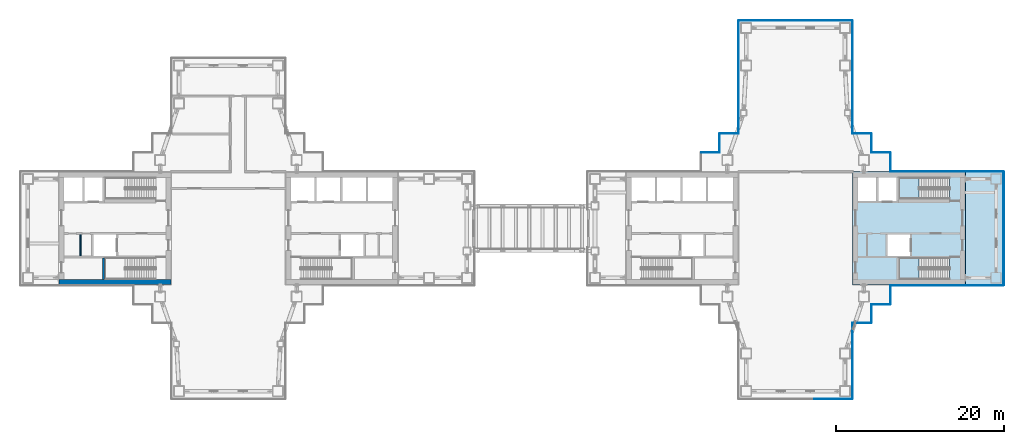
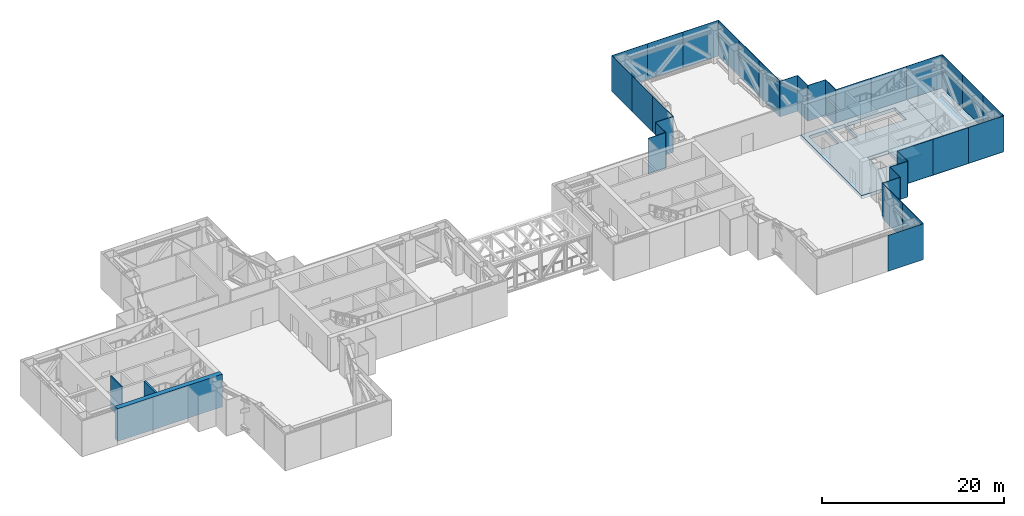
# One storey, part 9 of 21: 32 plates, 4 slabs, 3 walls, 15 elements without a shape of their own.
"""IFC4 building model written with IfcOpenShell, lengths in metres."""

from ifc_helpers import new_model, si_unit, direction, frame, frame_2d, origin, origin_2d, place, context, subcontext, project, spatial, polyline, rectangle, outline, extrude, material, layer, layer_set, type_object, element, aggregate, save


model = new_model("IFC4")

# Units and contexts
model_context = context("Model", 3, precision=1e-05, world=origin(), true_north=direction((0.0, 1.0)))
body_context = subcontext(model_context, "Body", "Model", "MODEL_VIEW")
ifc_project = project(units=[si_unit("LENGTHUNIT", "METRE"), si_unit("AREAUNIT", "SQUARE_METRE"), si_unit("VOLUMEUNIT", "CUBIC_METRE"), si_unit("PLANEANGLEUNIT", "RADIAN"), si_unit("MASSUNIT", "GRAM", prefix="KILO")], contexts=[model_context])

# Site, building, storey
site_placement = place(None, origin())
site = spatial("IfcSite", under=ifc_project, at=site_placement, CompositionType="ELEMENT")
building_placement = place(site_placement, origin())
building = spatial("IfcBuilding", under=site, at=building_placement, Name="Shamsa Quay Exchange Towers", CompositionType="ELEMENT")
storey_placement = place(building_placement, frame((0.0, 0.0, 128.699951171875)))
storey = spatial("IfcBuildingStorey", under=building, at=storey_placement, Name="L30", CompositionType="ELEMENT", Elevation=128.699951171875)

# Slab
ifc_material_1 = material(Name="Concrete C50/60", Category="concrete")
ifc_layer_1 = layer(ifc_material_1, 0.449951171875)
ifc_layer_set_1 = layer_set([ifc_layer_1], Name="CORE FLOOR 450 C50/60")
slab_type_1 = type_object("IfcSlabType", Name="CORE FLOOR 450 C50/60", PredefinedType="FLOOR", material=ifc_layer_set_1)
slab_1_placement = place(storey_placement, frame((0.0, 0.0, -0.449951171875)))
element("IfcSlab", 1, at=slab_1_placement, inside=storey, type_object=slab_type_1, Name="Core floor T2B", PredefinedType="FLOOR", context=body_context, shape_type="SweptSolid", body=[
    extrude(outline(polyline([(54.0, -6.75), (54.0, 6.75), (40.5, 6.75), (40.5, -6.75), (54.0, -6.75)]), holes=[polyline([(52.099365234375, -3.5), (52.099365234375, -6.050048828125), (46.0, -6.050048828125), (46.0, -3.5), (52.099365234375, -3.5)]), polyline([(52.099365234375, 6.050048828125), (52.099365234375, 3.5), (46.0, 3.5), (46.0, 6.050048828125), (52.099365234375, 6.050048828125)]), polyline([(45.75, 3.25), (43.60009765625, 3.25), (43.60009765625, 6.050048828125), (45.75, 6.050048828125), (45.75, 3.25)]), polyline([(43.35009765625, 3.25), (41.199951171875, 3.25), (41.199951171875, 6.050048828125), (43.35009765625, 6.050048828125), (43.35009765625, 3.25)]), polyline([(47.35009765625, -3.25), (44.699951171875, -3.25), (44.699951171875, -0.75), (47.35009765625, -0.75), (47.35009765625, -3.25)])]), origin(), (0.0, 0.0, 1.0), 0.449951171875),
])

# Stair, slab
ifc_material_2 = material(Name="Concrete C40/50", Category="concrete")
stair_type = type_object("IfcStairType", Name="EXIT STAIR 28 RISERS 171 MM", PredefinedType="HALF_TURN_STAIR", material=ifc_material_2)
stair_1_placement = place(storey_placement, origin())
stair_1 = element("IfcStair", 2, at=stair_1_placement, inside=storey, type_object=stair_type, Name="L30 Exit stair ST5", PredefinedType="HALF_TURN_STAIR")
ifc_layer_2 = layer(ifc_material_2, 0.199951171875)
ifc_layer_set_2 = layer_set([ifc_layer_2], Name="CORE STAIR LANDING")
slab_type_2 = type_object("IfcSlabType", Name="CORE STAIR LANDING", PredefinedType="LANDING", material=ifc_layer_set_2)
slab_2_placement = place(storey_placement, frame((0.0, 0.0, 2.199951171875)))
slab_2 = element("IfcSlab", 3, at=slab_2_placement, type_object=slab_type_2, Name="ST5 landing 1", PredefinedType="LANDING", context=body_context, shape_type="SweptSolid", body=[
    extrude(outline(polyline([(48.4599609375, -3.5), (46.0, -3.5), (46.0, -6.050048828125), (48.4599609375, -6.050048828125), (48.4599609375, -3.5)])), origin(), (0.0, 0.0, 1.0), 0.2001953125),
])
aggregate(stair_1, [slab_2])

stair_2_placement = place(storey_placement, origin())
stair_2 = element("IfcStair", 4, at=stair_2_placement, inside=storey, type_object=stair_type, Name="L30 Exit stair ST6", PredefinedType="HALF_TURN_STAIR")
slab_3_placement = place(storey_placement, frame((0.0, 0.0, 2.199951171875)))
slab_3 = element("IfcSlab", 5, at=slab_3_placement, type_object=slab_type_2, Name="ST6 landing 1", PredefinedType="LANDING", context=body_context, shape_type="SweptSolid", body=[
    extrude(outline(polyline([(48.4599609375, 6.050048828125), (46.0, 6.050048828125), (46.0, 3.5), (48.4599609375, 3.5), (48.4599609375, 6.050048828125)])), origin(), (0.0, 0.0, 1.0), 0.2001953125),
])
aggregate(stair_2, [slab_3])

# Curtain wall, plates
ifc_material_3 = material(Name="Aluminium EN AW-6063 T6, black anodised", Category="aluminium")
ifc_layer_3 = layer(ifc_material_3, 0.320068359375)
ifc_layer_set_3 = layer_set([ifc_layer_3], Name="CW-7 BELT-LEVEL LOUVRE PANEL WALL")
curtain_wall_type = type_object("IfcCurtainWallType", Name="CW-7 BELT-LEVEL LOUVRE PANEL WALL", PredefinedType="NOTDEFINED", material=ifc_layer_set_3)
curtain_wall_1_placement = place(storey_placement, origin())
curtain_wall_1 = element("IfcCurtainWall", 6, at=curtain_wall_1_placement, inside=storey, type_object=curtain_wall_type, Name="CW7 T2-FLK-V-W L30", PredefinedType="NOTDEFINED")
ifc_material_4 = material(Name="Aluminium louvre panel, black anodised, with insulated fire-rated backing", Category="aluminium")
ifc_layer_4 = layer(ifc_material_4, 0.06005859375)
ifc_layer_set_4 = layer_set([ifc_layer_4], Name="CW-7 LOUVRE PANEL 60")
plate_type = type_object("IfcPlateType", Name="CW-7 LOUVRE PANEL 60", PredefinedType="CURTAIN_PANEL", material=ifc_layer_set_4)
plate_1_placement = place(storey_placement, frame((47.2939453125, -6.780029296875, -0.35009765625)))
plate_1 = element("IfcPlate", 7, at=plate_1_placement, type_object=plate_type, Name="CW7 glass panel", PredefinedType="CURTAIN_PANEL", context=body_context, shape_type="SweptSolid", body=[
    extrude(rectangle(XDim=4.464111328125, YDim=0.06005859375, at=origin_2d()), origin(), (0.0, 0.0, 1.0), 4.800048828125),
])
plate_2_placement = place(storey_placement, frame((51.76806640625, -6.780029296875, -0.35009765625)))
plate_2 = element("IfcPlate", 8, at=plate_2_placement, type_object=plate_type, Name="CW7 glass panel", PredefinedType="CURTAIN_PANEL", context=body_context, shape_type="SweptSolid", body=[
    extrude(rectangle(XDim=4.464111328125, YDim=0.06005859375, at=origin_2d()), origin(), (0.0, 0.0, 1.0), 4.800048828125),
])
aggregate(curtain_wall_1, [plate_1, plate_2])

# Curtain wall, plate
curtain_wall_2_placement = place(storey_placement, origin())
curtain_wall_2 = element("IfcCurtainWall", 9, at=curtain_wall_2_placement, inside=storey, type_object=curtain_wall_type, Name="CW7 T2-FLK-V-W L30", PredefinedType="NOTDEFINED")
plate_3_placement = place(storey_placement, frame((56.25, -6.780029296875, -0.35009765625)))
plate_3 = element("IfcPlate", 10, at=plate_3_placement, type_object=plate_type, Name="CW7 glass panel", PredefinedType="CURTAIN_PANEL", context=body_context, shape_type="SweptSolid", body=[
    extrude(rectangle(XDim=4.5, YDim=0.06005859375, at=origin_2d()), origin(), (0.0, 0.0, 1.0), 4.800048828125),
])
aggregate(curtain_wall_2, [plate_3])

# Curtain wall, plates
curtain_wall_3_placement = place(storey_placement, origin())
curtain_wall_3 = element("IfcCurtainWall", 11, at=curtain_wall_3_placement, inside=storey, type_object=curtain_wall_type, Name="CW7 T2-END-V- L30", PredefinedType="NOTDEFINED")
plate_4_placement = place(storey_placement, frame((58.530029296875, -4.50244140625, -0.35009765625), z_axis=(0.0, 0.0, 1.0), x_axis=(0.0, 1.0, 0.0)))
plate_4 = element("IfcPlate", 12, at=plate_4_placement, type_object=plate_type, Name="CW7 glass panel", PredefinedType="CURTAIN_PANEL", context=body_context, shape_type="SweptSolid", body=[
    extrude(rectangle(XDim=4.4951171875, YDim=0.06005859375, at=origin_2d()), origin(), (0.0, 0.0, 1.0), 4.800048828125),
])
plate_5_placement = place(storey_placement, frame((58.530029296875, 0.0, -0.35009765625), z_axis=(0.0, 0.0, 1.0), x_axis=(0.0, 1.0, 0.0)))
plate_5 = element("IfcPlate", 13, at=plate_5_placement, type_object=plate_type, Name="CW7 glass panel", PredefinedType="CURTAIN_PANEL", context=body_context, shape_type="SweptSolid", body=[
    extrude(rectangle(XDim=4.489990234375, YDim=0.06005859375, at=origin_2d()), origin(), (0.0, 0.0, 1.0), 4.800048828125),
])
plate_6_placement = place(storey_placement, frame((58.530029296875, 4.50244140625, -0.35009765625), z_axis=(0.0, 0.0, 1.0), x_axis=(0.0, 1.0, 0.0)))
plate_6 = element("IfcPlate", 14, at=plate_6_placement, type_object=plate_type, Name="CW7 glass panel", PredefinedType="CURTAIN_PANEL", context=body_context, shape_type="SweptSolid", body=[
    extrude(rectangle(XDim=4.4951171875, YDim=0.06005859375, at=origin_2d()), origin(), (0.0, 0.0, 1.0), 4.800048828125),
])
aggregate(curtain_wall_3, [plate_4, plate_5, plate_6])

# Curtain wall, plate
curtain_wall_4_placement = place(storey_placement, origin())
curtain_wall_4 = element("IfcCurtainWall", 15, at=curtain_wall_4_placement, inside=storey, type_object=curtain_wall_type, Name="CW7 T2-FLK-V-E L30", PredefinedType="NOTDEFINED")
plate_7_placement = place(storey_placement, frame((56.25, 6.780029296875, -0.35009765625), z_axis=(0.0, 0.0, 1.0), x_axis=(-1.0, 0.0, 0.0)))
plate_7 = element("IfcPlate", 16, at=plate_7_placement, type_object=plate_type, Name="CW7 glass panel", PredefinedType="CURTAIN_PANEL", context=body_context, shape_type="SweptSolid", body=[
    extrude(rectangle(XDim=4.5, YDim=0.06005859375, at=origin_2d()), origin(), (0.0, 0.0, 1.0), 4.800048828125),
])
aggregate(curtain_wall_4, [plate_7])

# Curtain wall, plates
curtain_wall_5_placement = place(storey_placement, origin())
curtain_wall_5 = element("IfcCurtainWall", 17, at=curtain_wall_5_placement, inside=storey, type_object=curtain_wall_type, Name="CW7 T2-FLK-V-E L30", PredefinedType="NOTDEFINED")
plate_8_placement = place(storey_placement, frame((51.75244140625, 6.780029296875, -0.35009765625), z_axis=(0.0, 0.0, 1.0), x_axis=(-1.0, 0.0, 0.0)))
plate_8 = element("IfcPlate", 18, at=plate_8_placement, type_object=plate_type, Name="CW7 glass panel", PredefinedType="CURTAIN_PANEL", context=body_context, shape_type="SweptSolid", body=[
    extrude(rectangle(XDim=4.4951171875, YDim=0.06005859375, at=origin_2d()), origin(), (0.0, 0.0, 1.0), 4.800048828125),
])
plate_9_placement = place(storey_placement, frame((47.24755859375, 6.780029296875, -0.35009765625), z_axis=(0.0, 0.0, 1.0), x_axis=(-1.0, 0.0, 0.0)))
plate_9 = element("IfcPlate", 19, at=plate_9_placement, type_object=plate_type, Name="CW7 glass panel", PredefinedType="CURTAIN_PANEL", context=body_context, shape_type="SweptSolid", body=[
    extrude(rectangle(XDim=4.4951171875, YDim=0.06005859375, at=origin_2d()), origin(), (0.0, 0.0, 1.0), 4.800048828125),
])
aggregate(curtain_wall_5, [plate_8, plate_9])

curtain_wall_6_placement = place(storey_placement, origin())
curtain_wall_6 = element("IfcCurtainWall", 20, at=curtain_wall_6_placement, inside=storey, type_object=curtain_wall_type, Name="CW7 T2-FLK-U+S L30", PredefinedType="NOTDEFINED")
plate_10_placement = place(storey_placement, frame((40.530029296875, 13.549072265625, -0.35009765625), z_axis=(0.0, 0.0, 1.0), x_axis=(0.0, 1.0, 0.0)))
plate_10 = element("IfcPlate", 21, at=plate_10_placement, type_object=plate_type, Name="CW7 glass panel", PredefinedType="CURTAIN_PANEL", context=body_context, shape_type="SweptSolid", body=[
    extrude(rectangle(XDim=4.474365234375, YDim=0.06005859375, at=origin_2d()), origin(), (0.0, 0.0, 1.0), 4.800048828125),
])
plate_11_placement = place(storey_placement, frame((40.530029296875, 18.031005859375, -0.35009765625), z_axis=(0.0, 0.0, 1.0), x_axis=(0.0, 1.0, 0.0)))
plate_11 = element("IfcPlate", 22, at=plate_11_placement, type_object=plate_type, Name="CW7 glass panel", PredefinedType="CURTAIN_PANEL", context=body_context, shape_type="SweptSolid", body=[
    extrude(rectangle(XDim=4.46923828125, YDim=0.06005859375, at=origin_2d()), origin(), (0.0, 0.0, 1.0), 4.800048828125),
])
plate_12_placement = place(storey_placement, frame((40.530029296875, 22.512939453125, -0.35009765625), z_axis=(0.0, 0.0, 1.0), x_axis=(0.0, 1.0, 0.0)))
plate_12 = element("IfcPlate", 23, at=plate_12_placement, type_object=plate_type, Name="CW7 glass panel", PredefinedType="CURTAIN_PANEL", context=body_context, shape_type="SweptSolid", body=[
    extrude(rectangle(XDim=4.474365234375, YDim=0.06005859375, at=origin_2d()), origin(), (0.0, 0.0, 1.0), 4.800048828125),
])
aggregate(curtain_wall_6, [plate_10, plate_11, plate_12])

curtain_wall_7_placement = place(storey_placement, origin())
curtain_wall_7 = element("IfcCurtainWall", 24, at=curtain_wall_7_placement, inside=storey, type_object=curtain_wall_type, Name="CW7 T2-END-U+ L30", PredefinedType="NOTDEFINED")
plate_13_placement = place(storey_placement, frame((38.25244140625, 24.780029296875, -0.35009765625), z_axis=(0.0, 0.0, 1.0), x_axis=(-1.0, 0.0, 0.0)))
plate_13 = element("IfcPlate", 25, at=plate_13_placement, type_object=plate_type, Name="CW7 glass panel", PredefinedType="CURTAIN_PANEL", context=body_context, shape_type="SweptSolid", body=[
    extrude(rectangle(XDim=4.4951171875, YDim=0.06005859375, at=origin_2d()), origin(), (0.0, 0.0, 1.0), 4.800048828125),
])
plate_14_placement = place(storey_placement, frame((33.75, 24.780029296875, -0.35009765625), z_axis=(0.0, 0.0, 1.0), x_axis=(-1.0, 0.0, 0.0)))
plate_14 = element("IfcPlate", 26, at=plate_14_placement, type_object=plate_type, Name="CW7 glass panel", PredefinedType="CURTAIN_PANEL", context=body_context, shape_type="SweptSolid", body=[
    extrude(rectangle(XDim=4.489990234375, YDim=0.06005859375, at=origin_2d()), origin(), (0.0, 0.0, 1.0), 4.800048828125),
])
plate_15_placement = place(storey_placement, frame((29.24755859375, 24.780029296875, -0.35009765625), z_axis=(0.0, 0.0, 1.0), x_axis=(-1.0, 0.0, 0.0)))
plate_15 = element("IfcPlate", 27, at=plate_15_placement, type_object=plate_type, Name="CW7 glass panel", PredefinedType="CURTAIN_PANEL", context=body_context, shape_type="SweptSolid", body=[
    extrude(rectangle(XDim=4.4951171875, YDim=0.06005859375, at=origin_2d()), origin(), (0.0, 0.0, 1.0), 4.800048828125),
])
aggregate(curtain_wall_7, [plate_13, plate_14, plate_15])

curtain_wall_8_placement = place(storey_placement, origin())
curtain_wall_8 = element("IfcCurtainWall", 28, at=curtain_wall_8_placement, inside=storey, type_object=curtain_wall_type, Name="CW7 T2-FLK-U+N L30", PredefinedType="NOTDEFINED")
plate_16_placement = place(storey_placement, frame((26.969970703125, 22.50244140625, -0.35009765625), z_axis=(0.0, 0.0, 1.0), x_axis=(0.0, -1.0, 0.0)))
plate_16 = element("IfcPlate", 29, at=plate_16_placement, type_object=plate_type, Name="CW7 glass panel", PredefinedType="CURTAIN_PANEL", context=body_context, shape_type="SweptSolid", body=[
    extrude(rectangle(XDim=4.4951171875, YDim=0.06005859375, at=origin_2d()), origin(), (0.0, 0.0, 1.0), 4.800048828125),
])
plate_17_placement = place(storey_placement, frame((26.969970703125, 18.0, -0.35009765625), z_axis=(0.0, 0.0, 1.0), x_axis=(0.0, -1.0, 0.0)))
plate_17 = element("IfcPlate", 30, at=plate_17_placement, type_object=plate_type, Name="CW7 glass panel", PredefinedType="CURTAIN_PANEL", context=body_context, shape_type="SweptSolid", body=[
    extrude(rectangle(XDim=4.489990234375, YDim=0.06005859375, at=origin_2d()), origin(), (0.0, 0.0, 1.0), 4.800048828125),
])
plate_18_placement = place(storey_placement, frame((26.969970703125, 13.49755859375, -0.35009765625), z_axis=(0.0, 0.0, 1.0), x_axis=(0.0, -1.0, 0.0)))
plate_18 = element("IfcPlate", 31, at=plate_18_placement, type_object=plate_type, Name="CW7 glass panel", PredefinedType="CURTAIN_PANEL", context=body_context, shape_type="SweptSolid", body=[
    extrude(rectangle(XDim=4.4951171875, YDim=0.06005859375, at=origin_2d()), origin(), (0.0, 0.0, 1.0), 4.800048828125),
])
aggregate(curtain_wall_8, [plate_16, plate_17, plate_18])

# Curtain wall, plate
curtain_wall_9_placement = place(storey_placement, origin())
curtain_wall_9 = element("IfcCurtainWall", 32, at=curtain_wall_9_placement, inside=storey, type_object=curtain_wall_type, Name="CW7 T2-END-U- L30", PredefinedType="NOTDEFINED")
plate_19_placement = place(storey_placement, frame((38.25244140625, -20.280029296875, -0.35009765625)))
plate_19 = element("IfcPlate", 33, at=plate_19_placement, type_object=plate_type, Name="CW7 glass panel", PredefinedType="CURTAIN_PANEL", context=body_context, shape_type="SweptSolid", body=[
    extrude(rectangle(XDim=4.4951171875, YDim=0.06005859375, at=origin_2d()), origin(), (0.0, 0.0, 1.0), 4.800048828125),
])
aggregate(curtain_wall_9, [plate_19])

# Curtain wall, plates
curtain_wall_10_placement = place(storey_placement, origin())
curtain_wall_10 = element("IfcCurtainWall", 34, at=curtain_wall_10_placement, inside=storey, type_object=curtain_wall_type, Name="CW7 T2-FLK-U-S L30", PredefinedType="NOTDEFINED")
plate_20_placement = place(storey_placement, frame((40.530029296875, -18.00244140625, -0.35009765625), z_axis=(0.0, 0.0, 1.0), x_axis=(0.0, 1.0, 0.0)))
plate_20 = element("IfcPlate", 35, at=plate_20_placement, type_object=plate_type, Name="CW7 glass panel", PredefinedType="CURTAIN_PANEL", context=body_context, shape_type="SweptSolid", body=[
    extrude(rectangle(XDim=4.4951171875, YDim=0.06005859375, at=origin_2d()), origin(), (0.0, 0.0, 1.0), 4.800048828125),
])
plate_21_placement = place(storey_placement, frame((40.530029296875, -13.49755859375, -0.35009765625), z_axis=(0.0, 0.0, 1.0), x_axis=(0.0, 1.0, 0.0)))
plate_21 = element("IfcPlate", 36, at=plate_21_placement, type_object=plate_type, Name="CW7 glass panel", PredefinedType="CURTAIN_PANEL", context=body_context, shape_type="SweptSolid", body=[
    extrude(rectangle(XDim=4.4951171875, YDim=0.06005859375, at=origin_2d()), origin(), (0.0, 0.0, 1.0), 4.800048828125),
])
aggregate(curtain_wall_10, [plate_20, plate_21])

curtain_wall_11_placement = place(storey_placement, origin())
curtain_wall_11 = element("IfcCurtainWall", 37, at=curtain_wall_11_placement, inside=storey, type_object=curtain_wall_type, Name="CW7 PKWS L30", PredefinedType="NOTDEFINED")
plate_22_placement = place(storey_placement, frame((43.906005859375, -9.030029296875, -0.35009765625)))
plate_22 = element("IfcPlate", 38, at=plate_22_placement, type_object=plate_type, Name="CW7 glass panel", PredefinedType="CURTAIN_PANEL", context=body_context, shape_type="SweptSolid", body=[
    extrude(rectangle(XDim=2.18798828125, YDim=0.06005859375, at=origin_2d()), origin(), (0.0, 0.0, 1.0), 4.800048828125),
])
plate_23_placement = place(storey_placement, frame((45.030029296875, -7.875, -0.35009765625), z_axis=(0.0, 0.0, 1.0), x_axis=(0.0, 1.0, 0.0)))
plate_23 = element("IfcPlate", 39, at=plate_23_placement, type_object=plate_type, Name="CW7 glass panel", PredefinedType="CURTAIN_PANEL", context=body_context, shape_type="SweptSolid", body=[
    extrude(rectangle(XDim=2.25, YDim=0.06005859375, at=origin_2d()), origin(), (0.0, 0.0, 1.0), 4.800048828125),
])
plate_24_placement = place(storey_placement, frame((41.656005859375, -11.280029296875, -0.35009765625)))
plate_24 = element("IfcPlate", 40, at=plate_24_placement, type_object=plate_type, Name="CW7 glass panel", PredefinedType="CURTAIN_PANEL", context=body_context, shape_type="SweptSolid", body=[
    extrude(rectangle(XDim=2.18798828125, YDim=0.06005859375, at=origin_2d()), origin(), (0.0, 0.0, 1.0), 4.800048828125),
])
plate_25_placement = place(storey_placement, frame((42.780029296875, -10.125, -0.35009765625), z_axis=(0.0, 0.0, 1.0), x_axis=(0.0, 1.0, 0.0)))
plate_25 = element("IfcPlate", 41, at=plate_25_placement, type_object=plate_type, Name="CW7 glass panel", PredefinedType="CURTAIN_PANEL", context=body_context, shape_type="SweptSolid", body=[
    extrude(rectangle(XDim=2.25, YDim=0.06005859375, at=origin_2d()), origin(), (0.0, 0.0, 1.0), 4.800048828125),
])
aggregate(curtain_wall_11, [plate_22, plate_23, plate_24, plate_25])

curtain_wall_12_placement = place(storey_placement, origin())
curtain_wall_12 = element("IfcCurtainWall", 42, at=curtain_wall_12_placement, inside=storey, type_object=curtain_wall_type, Name="CW7 PKES L30", PredefinedType="NOTDEFINED")
plate_26_placement = place(storey_placement, frame((45.030029296875, 7.906005859375, -0.35009765625), z_axis=(0.0, 0.0, 1.0), x_axis=(0.0, 1.0, 0.0)))
plate_26 = element("IfcPlate", 43, at=plate_26_placement, type_object=plate_type, Name="CW7 glass panel", PredefinedType="CURTAIN_PANEL", context=body_context, shape_type="SweptSolid", body=[
    extrude(rectangle(XDim=2.18798828125, YDim=0.06005859375, at=origin_2d()), origin(), (0.0, 0.0, 1.0), 4.800048828125),
])
plate_27_placement = place(storey_placement, frame((43.875, 9.030029296875, -0.35009765625), z_axis=(0.0, 0.0, 1.0), x_axis=(-1.0, 0.0, 0.0)))
plate_27 = element("IfcPlate", 44, at=plate_27_placement, type_object=plate_type, Name="CW7 glass panel", PredefinedType="CURTAIN_PANEL", context=body_context, shape_type="SweptSolid", body=[
    extrude(rectangle(XDim=2.25, YDim=0.06005859375, at=origin_2d()), origin(), (0.0, 0.0, 1.0), 4.800048828125),
])
plate_28_placement = place(storey_placement, frame((42.780029296875, 10.156005859375, -0.35009765625), z_axis=(0.0, 0.0, 1.0), x_axis=(0.0, 1.0, 0.0)))
plate_28 = element("IfcPlate", 45, at=plate_28_placement, type_object=plate_type, Name="CW7 glass panel", PredefinedType="CURTAIN_PANEL", context=body_context, shape_type="SweptSolid", body=[
    extrude(rectangle(XDim=2.18798828125, YDim=0.06005859375, at=origin_2d()), origin(), (0.0, 0.0, 1.0), 4.800048828125),
])
plate_29_placement = place(storey_placement, frame((41.625, 11.280029296875, -0.35009765625), z_axis=(0.0, 0.0, 1.0), x_axis=(-1.0, 0.0, 0.0)))
plate_29 = element("IfcPlate", 46, at=plate_29_placement, type_object=plate_type, Name="CW7 glass panel", PredefinedType="CURTAIN_PANEL", context=body_context, shape_type="SweptSolid", body=[
    extrude(rectangle(XDim=2.25, YDim=0.06005859375, at=origin_2d()), origin(), (0.0, 0.0, 1.0), 4.800048828125),
])
aggregate(curtain_wall_12, [plate_26, plate_27, plate_28, plate_29])

curtain_wall_13_placement = place(storey_placement, origin())
curtain_wall_13 = element("IfcCurtainWall", 47, at=curtain_wall_13_placement, inside=storey, type_object=curtain_wall_type, Name="CW7 PKEN L30", PredefinedType="NOTDEFINED")
plate_30_placement = place(storey_placement, frame((25.843994140625, 11.280029296875, -0.35009765625), z_axis=(0.0, 0.0, 1.0), x_axis=(-1.0, 0.0, 0.0)))
plate_30 = element("IfcPlate", 48, at=plate_30_placement, type_object=plate_type, Name="CW7 glass panel", PredefinedType="CURTAIN_PANEL", context=body_context, shape_type="SweptSolid", body=[
    extrude(rectangle(XDim=2.18798828125, YDim=0.06005859375, at=origin_2d()), origin(), (0.0, 0.0, 1.0), 4.800048828125),
])
plate_31_placement = place(storey_placement, frame((24.719970703125, 10.125, -0.35009765625), z_axis=(0.0, 0.0, 1.0), x_axis=(0.0, -1.0, 0.0)))
plate_31 = element("IfcPlate", 49, at=plate_31_placement, type_object=plate_type, Name="CW7 glass panel", PredefinedType="CURTAIN_PANEL", context=body_context, shape_type="SweptSolid", body=[
    extrude(rectangle(XDim=2.25, YDim=0.06005859375, at=origin_2d()), origin(), (0.0, 0.0, 1.0), 4.800048828125),
])
plate_32_placement = place(storey_placement, frame((23.593994140625, 9.030029296875, -0.35009765625), z_axis=(0.0, 0.0, 1.0), x_axis=(-1.0, 0.0, 0.0)))
plate_32 = element("IfcPlate", 50, at=plate_32_placement, type_object=plate_type, Name="CW7 glass panel", PredefinedType="CURTAIN_PANEL", context=body_context, shape_type="SweptSolid", body=[
    extrude(rectangle(XDim=2.18798828125, YDim=0.06005859375, at=origin_2d()), origin(), (0.0, 0.0, 1.0), 4.800048828125),
])
aggregate(curtain_wall_13, [plate_30, plate_31, plate_32])

# Slab
ifc_layer_5 = layer(ifc_material_2, 0.449951171875)
ifc_layer_set_5 = layer_set([ifc_layer_5], Name="Flat slab 450")
slab_type_3 = type_object("IfcSlabType", Name="Flat slab 450", PredefinedType="FLOOR", material=ifc_layer_set_5)
slab_4_placement = place(storey_placement, frame((0.0, 0.0, -0.449951171875)))
element("IfcSlab", 51, at=slab_4_placement, inside=storey, type_object=slab_type_3, Name="Flat slab T2 L30 6", PredefinedType="FLOOR", context=body_context, shape_type="SweptSolid", body=[
    extrude(outline(polyline([(58.5, 6.75), (54.0, 6.75), (54.0, -6.75), (58.5, -6.75), (58.5, 6.75)])), origin(), (0.0, 0.0, 1.0), 0.449951171875),
])

# Walls
ifc_material_5 = material(Name="Concrete C70/85", Category="concrete")
ifc_layer_6 = layer(ifc_material_5, 0.60009765625)
ifc_layer_set_6 = layer_set([ifc_layer_6], Name="CORE WALL 600 C70/85")
wall_type_1 = type_object("IfcWallType", Name="CORE WALL 600 C70/85", PredefinedType="SHEAR", material=ifc_layer_set_6)
wall_1_placement = place(storey_placement, frame((-40.60009765625, -6.35009765625, 0.0), z_axis=(0.0, 0.0, 1.0), x_axis=(-1.0, 0.0, 0.0)))
element("IfcWall", 52, at=wall_1_placement, inside=storey, type_object=wall_type_1, Name="Core wall T1B-L30-PS", PredefinedType="SHEAR", context=body_context, shape_type="SweptSolid", body=[
    extrude(rectangle(XDim=13.2998046875, YDim=0.60009765625, at=frame_2d((6.64990234375, 0.0))), origin(), (0.0, 0.0, 1.0), 4.400146484375),
])
ifc_material_6 = material(Name="Gypsum board on steel studs, EI 60", Category="steel")
ifc_layer_7 = layer(ifc_material_6, 0.14990234375)
ifc_layer_set_7 = layer_set([ifc_layer_7], Name="FIRE PARTITION 150")
wall_type_2 = type_object("IfcWallType", Name="FIRE PARTITION 150", PredefinedType="PARTITIONING", material=ifc_layer_set_7)
wall_2_placement = place(storey_placement, frame((-51.35009765625, -3.25, 0.0), z_axis=(0.0, 0.0, 1.0), x_axis=(0.0, 1.0, 0.0)))
element("IfcWall", 53, at=wall_2_placement, inside=storey, type_object=wall_type_2, Name="Partition T1B-L30-EC0", PredefinedType="PARTITIONING", context=body_context, shape_type="SweptSolid", body=[
    extrude(rectangle(XDim=2.5, YDim=0.14990234375, at=frame_2d((1.25, 0.0))), origin(), (0.0, 0.0, 1.0), 4.400146484375),
])
ifc_layer_8 = layer(ifc_material_1, 0.25)
ifc_layer_set_8 = layer_set([ifc_layer_8], Name="SHAFT WALL 250 C50/60")
wall_type_3 = type_object("IfcWallType", Name="SHAFT WALL 250 C50/60", PredefinedType="SHEAR", material=ifc_layer_set_8)
wall_3_placement = place(storey_placement, frame((-48.625, -6.050048828125, 0.0), z_axis=(0.0, 0.0, 1.0), x_axis=(0.0, 1.0, 0.0)))
element("IfcWall", 54, at=wall_3_placement, inside=storey, type_object=wall_type_3, Name="Shaft wall T1B-L30-STF", PredefinedType="SHEAR", context=body_context, shape_type="SweptSolid", body=[
    extrude(rectangle(XDim=2.550048828125, YDim=0.25, at=frame_2d((1.27490234375, 0.0))), origin(), (0.0, 0.0, 1.0), 4.400146484375),
])

save(model, "model.ifc")
